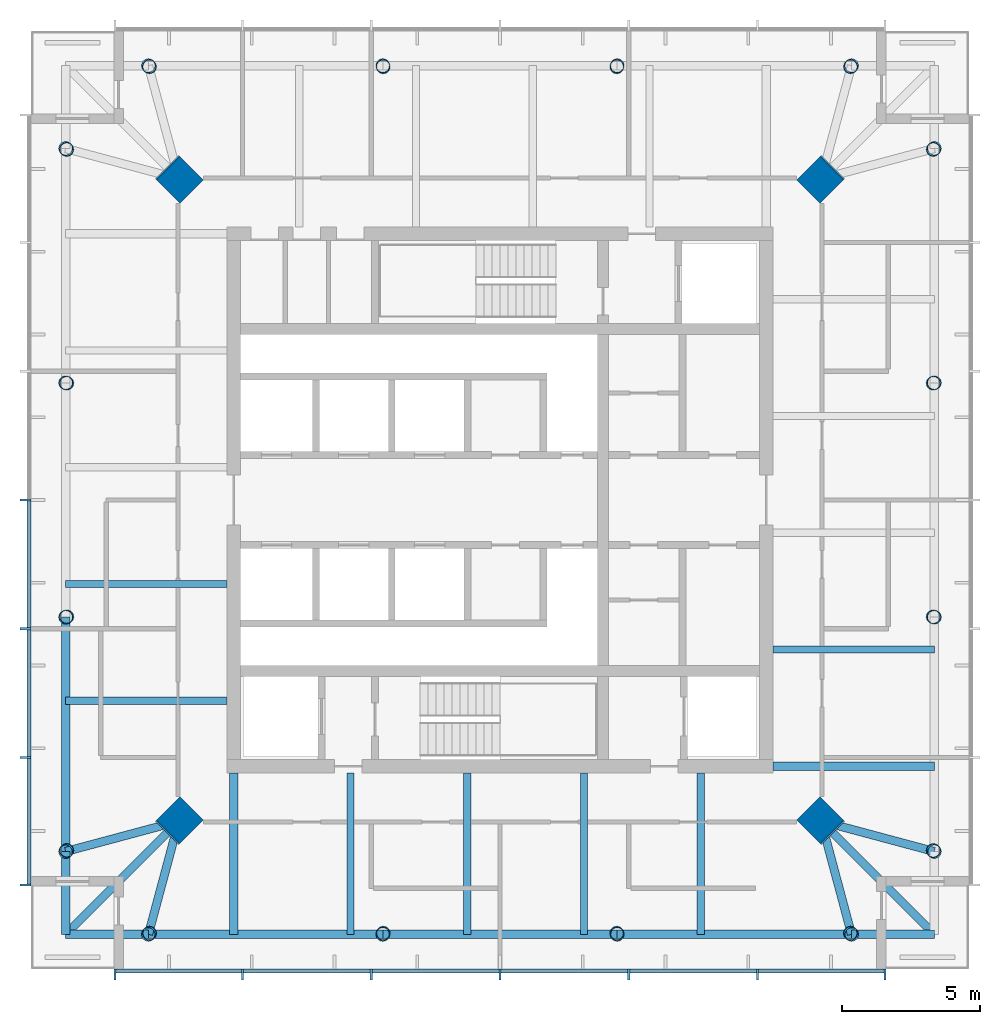
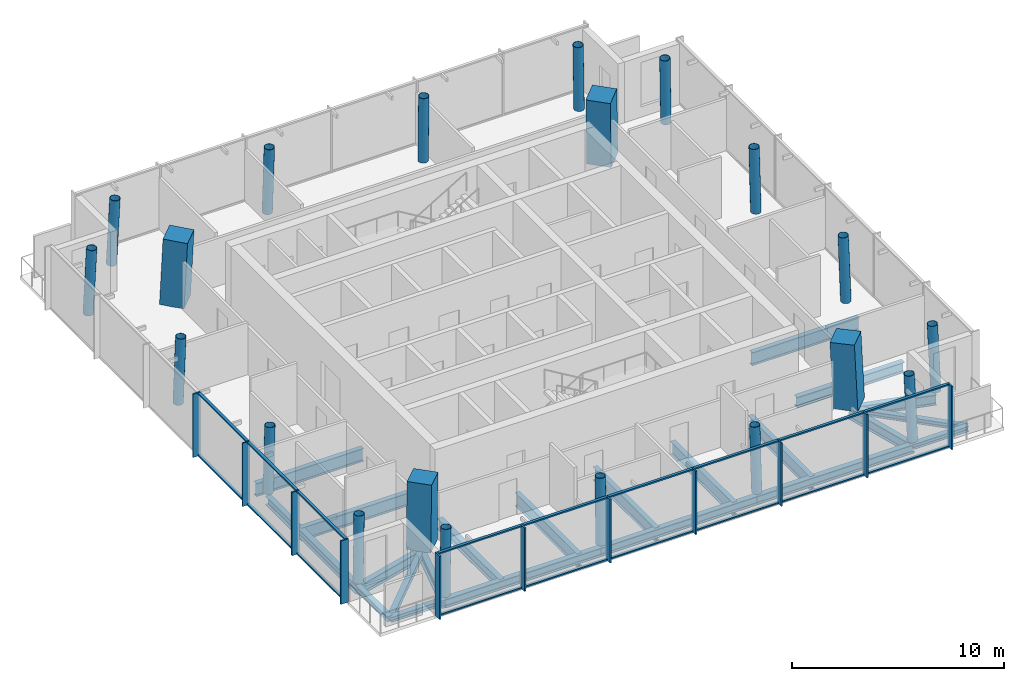
# One storey, part 1 of 7: 29 members, 22 beams, 20 columns, 2 elements without a shape of their own.
"""IFC4 building model written with IfcOpenShell, lengths in metres."""

import ifcopenshell
import ifcopenshell.guid

model = None  # the IFC model being written
_history = None  # IfcOwnerHistory: only IFC2X3 demands one
_inside = {}  # id of a spatial element -> (the spatial element, [elements in it])
_under = {}  # id of a project, library or spatial element -> (it, [spatial elements below it])
_declared = {}  # id of a project -> (the project, [libraries it declares])
_typed = {}  # id of a type object -> (the type object, [elements of that type])
_made_of = {}  # id of a material, layer set ... -> (it, [elements and type objects made of it])


def new_model(schema):
    """Start an empty IFC model of exactly this schema.

    Asked for "IFC4X3", IfcOpenShell would pick the latest addendum, in which some entities
    have other attributes; the version numbers below select the first issue.
    IFC2X3 requires an IfcOwnerHistory on every rooted entity: one is made here for all.
    """
    global model, _history
    if schema == "IFC4X3":
        model = ifcopenshell.file(schema_version=(4, 3, 0, 0))
    else:
        model = ifcopenshell.file(schema=schema)
    _inside.clear()
    _under.clear()
    _declared.clear()
    _typed.clear()
    _made_of.clear()
    _history = None
    if model.schema == "IFC2X3":
        org = make("IfcOrganization", Name="unknown")
        user = make(
            "IfcPersonAndOrganization",
            ThePerson=make("IfcPerson", FamilyName="unknown"),
            TheOrganization=org,
        )
        app = make(
            "IfcApplication",
            ApplicationDeveloper=org,
            Version="unknown",
            ApplicationFullName="unknown",
            ApplicationIdentifier="unknown",
        )
        _history = make(
            "IfcOwnerHistory",
            OwningUser=user,
            OwningApplication=app,
            ChangeAction="ADDED",
            CreationDate=0,
        )
    return model


def make(cls, **values):
    """One entity of the class cls with the attributes given. An attribute that is None is left unset."""
    return model.create_entity(
        cls, **{name: value for name, value in values.items() if value is not None}
    )


def rooted(cls, **values):
    """An entity with a GlobalId (a new one), such as an element, a storey or a relation."""
    return make(cls, GlobalId=ifcopenshell.guid.new(), OwnerHistory=_history, **values)


def si_unit(unit_type, name, prefix=None):
    """IfcSIUnit, for example si_unit("LENGTHUNIT", "METRE", prefix="MILLI")."""
    return make("IfcSIUnit", UnitType=unit_type, Prefix=prefix, Name=name)


def assignment(units):
    """IfcUnitAssignment: the units of a project."""
    return None if units is None else make("IfcUnitAssignment", Units=units)


def point(xyz):
    """IfcCartesianPoint."""
    return None if xyz is None else make("IfcCartesianPoint", Coordinates=xyz)


def direction(xyz):
    """IfcDirection."""
    return None if xyz is None else make("IfcDirection", DirectionRatios=xyz)


def frame(location, z_axis=None, x_axis=None):
    """IfcAxis2Placement3D, a coordinate frame: its origin and axes. An axis left out is left unset."""
    return make(
        "IfcAxis2Placement3D",
        Location=point(location),
        Axis=direction(z_axis),
        RefDirection=direction(x_axis),
    )


def frame_2d(location, x_axis=None):
    """IfcAxis2Placement2D, a coordinate frame in the plane: its origin and x axis."""
    return make(
        "IfcAxis2Placement2D", Location=point(location), RefDirection=direction(x_axis)
    )


def origin():
    """The frame at (0, 0, 0) with its axes left unset."""
    return frame((0.0, 0.0, 0.0))


def origin_2d():
    """The frame at (0, 0) in the plane with its x axis left unset."""
    return frame_2d((0.0, 0.0))


def place(relative_to, where):
    """IfcLocalPlacement: puts the frame where relative to a parent placement (None: the world)."""
    return make(
        "IfcLocalPlacement", PlacementRelTo=relative_to, RelativePlacement=where
    )


def context(
    kind, dimensions, precision=None, world=None, true_north=None, identifier=None
):
    """IfcGeometricRepresentationContext, for example the 3D "Model" context."""
    return make(
        "IfcGeometricRepresentationContext",
        ContextIdentifier=identifier,
        ContextType=kind,
        CoordinateSpaceDimension=dimensions,
        Precision=precision,
        WorldCoordinateSystem=world,
        TrueNorth=true_north,
    )


def subcontext(parent, identifier, kind, view, scale=None):
    """IfcGeometricRepresentationSubContext, for example "Body" below "Model"."""
    return make(
        "IfcGeometricRepresentationSubContext",
        ContextIdentifier=identifier,
        ContextType=kind,
        ParentContext=parent,
        TargetScale=scale,
        TargetView=view,
    )


def project(units=None, contexts=None):
    """IfcProject with its units and contexts."""
    return rooted(
        "IfcProject",
        Name="project",
        RepresentationContexts=contexts,
        UnitsInContext=assignment(units),
    )


def spatial(cls, under=None, at=None, **own):
    """A site, building, storey or space (cls), placed at a placement, below another one or the project."""
    s = rooted(cls, ObjectPlacement=at, **own)
    if under is not None:
        _under.setdefault(under.id(), (under, []))[1].append(s)
    return s


def profile(cls, at=None, kind="AREA", **sizes):
    """A parametric profile (cls). Its sizes go by their IFC names, for example OverallWidth=200.0."""
    return make(cls, ProfileType=kind, Position=at, **sizes)


def rectangle(**sizes):
    """IfcRectangleProfileDef."""
    return profile("IfcRectangleProfileDef", **sizes)


def hollow_circle(**sizes):
    """IfcCircleHollowProfileDef."""
    return profile("IfcCircleHollowProfileDef", **sizes)


def i_section(**sizes):
    """IfcIShapeProfileDef."""
    return profile("IfcIShapeProfileDef", **sizes)


def extrude(swept, where, along, depth):
    """IfcExtrudedAreaSolid: the profile swept, set in the frame where, extruded along a direction by depth."""
    return make(
        "IfcExtrudedAreaSolid",
        SweptArea=swept,
        Position=where,
        ExtrudedDirection=direction(along),
        Depth=depth,
    )


def shape(context_of_items, identifier, shape_type, items):
    """IfcShapeRepresentation: the items that make up one representation, for example the "Body"."""
    return make(
        "IfcShapeRepresentation",
        ContextOfItems=context_of_items,
        RepresentationIdentifier=identifier,
        RepresentationType=shape_type,
        Items=items,
    )


def material(Name=None, Category=None):
    """IfcMaterial."""
    return make("IfcMaterial", Name=Name, Category=Category)


def material_profile(
    of_material, cross_section, Name=None, Category=None, Priority=None
):
    """IfcMaterialProfile: a cross section and its material."""
    return make(
        "IfcMaterialProfile",
        Name=Name,
        Material=of_material,
        Profile=cross_section,
        Priority=Priority,
        Category=Category,
    )


def profile_set(profiles, Name=None, composite=None):
    """IfcMaterialProfileSet."""
    return make(
        "IfcMaterialProfileSet",
        Name=Name,
        MaterialProfiles=profiles,
        CompositeProfile=composite,
    )


def made_of(thing, what):
    """Note that an element or type object is made of a material, layer set ...; save() writes the relation."""
    if what is not None:
        _made_of.setdefault(what.id(), (what, []))[1].append(thing)
    return thing


def type_object(cls, material=None, **own):
    """A type object (cls), such as IfcWallType, which elements share."""
    return made_of(rooted(cls, **own), material)


def element(
    cls,
    number,
    at=None,
    inside=None,
    cuts=None,
    type_object=None,
    material=None,
    context=None,
    identifier="Body",
    shape_type=None,
    held_by="IfcProductDefinitionShape",
    body=None,
    shapes=None,
    **own,
):
    """One element of the class cls, such as IfcWall. Its Tag is "e" and its number.

    at: its placement. inside: the storey or other place that contains it. cuts: it is an
    opening in that element (IfcRelVoidsElement). A single representation is given by context,
    identifier, shape_type and body (its items); several are given by shapes. held_by: the class
    of the entity that holds the representations. save() writes the other relations.
    """
    e = rooted(cls, Tag="e%d" % number, ObjectPlacement=at, **own)
    if body is not None:
        shapes = [shape(context, identifier, shape_type, body)]
    if shapes is not None:
        e.Representation = make(held_by, Representations=shapes)
    if inside is not None:
        _inside.setdefault(inside.id(), (inside, []))[1].append(e)
    if cuts is not None:
        rooted(
            "IfcRelVoidsElement", RelatingBuildingElement=cuts, RelatedOpeningElement=e
        )
    if type_object is not None:
        _typed.setdefault(type_object.id(), (type_object, []))[1].append(e)
    return made_of(e, material)


def aggregate(whole, parts):
    """IfcRelAggregates: a whole, such as a stair, and the parts it consists of."""
    return rooted("IfcRelAggregates", RelatingObject=whole, RelatedObjects=parts)


def save(model, path):
    """Write the relations noted so far, then the file.

    IfcRelAggregates (storeys below a building ...), IfcRelContainedInSpatialStructure (elements
    in a storey), IfcRelDefinesByType, IfcRelAssociatesMaterial and IfcRelDeclares: one each for
    every whole, place, type object, material and project.
    """
    for whole, parts in _under.values():
        aggregate(whole, parts)
    for where, things in _inside.values():
        rooted(
            "IfcRelContainedInSpatialStructure",
            RelatedElements=things,
            RelatingStructure=where,
        )
    for kind, things in _typed.values():
        rooted("IfcRelDefinesByType", RelatedObjects=things, RelatingType=kind)
    for what, things in _made_of.values():
        rooted("IfcRelAssociatesMaterial", RelatedObjects=things, RelatingMaterial=what)
    for by, libraries in _declared.values():
        rooted("IfcRelDeclares", RelatingContext=by, RelatedDefinitions=libraries)
    model.write(path)


model = new_model("IFC4")

# Units and contexts
model_context = context("Model", 3, precision=1e-05, world=origin(), true_north=direction((0.0, 1.0)))
body_context = subcontext(model_context, "Body", "Model", "MODEL_VIEW")
ifc_project = project(units=[si_unit("LENGTHUNIT", "METRE"), si_unit("AREAUNIT", "SQUARE_METRE"), si_unit("VOLUMEUNIT", "CUBIC_METRE"), si_unit("PLANEANGLEUNIT", "RADIAN"), si_unit("MASSUNIT", "GRAM", prefix="KILO")], contexts=[model_context])

# Site, building, storey
site_placement = place(None, origin())
site = spatial("IfcSite", under=ifc_project, at=site_placement, CompositionType="ELEMENT")
building_placement = place(site_placement, origin())
building = spatial("IfcBuilding", under=site, at=building_placement, Name="Ostroluk Exchange", CompositionType="ELEMENT")
storey_placement = place(building_placement, frame((0.0, 0.0, 279.39990234375)))
storey = spatial("IfcBuildingStorey", under=building, at=storey_placement, Name="L72", CompositionType="ELEMENT", Elevation=279.39990234375)

# Columns
ifc_material_1 = material(Name="Concrete C50/60", Category="concrete")
ifc_material_profile_1 = material_profile(ifc_material_1, rectangle(XDim=1.199951171875, YDim=1.199951171875, at=origin_2d()), Name="RC 1200x1200")
ifc_profile_set_1 = profile_set([ifc_material_profile_1], Name="Concrete C50/60")
column_type_1 = type_object("IfcColumnType", Name="Mega column RC 1200x1200", PredefinedType="COLUMN", material=ifc_profile_set_1)
for number, where, z_axis, x_axis, name in (
    (1, (56.642822265625, 57.642822265625, 0.0), (-0.031898107953, -0.031898107953, 0.998981992539), (0.707106781187, -0.707106781187, 0.0), "T1 mega column NE"),
    (2, (33.357177734375, 57.642822265625, 0.0), (0.031898107953, -0.031898107953, 0.998981992539), (0.707106781187, 0.707106781187, 0.0), "T1 mega column NW"),
    (3, (33.357177734375, 34.357177734375, 0.0), (0.031898107953, 0.031898107953, 0.998981992539), (-0.707106781187, 0.707106781187, 0.0), "T1 mega column SW"),
    (4, (56.642822265625, 34.357177734375, 0.0), (-0.031898107953, 0.031898107953, 0.998981992539), (-0.707106781187, -0.707106781187, 0.0), "T1 mega column SE"),
):
    element("IfcColumn", number, at=place(storey_placement, frame(where, z_axis=z_axis, x_axis=x_axis)), inside=storey, type_object=column_type_1, Name=name, PredefinedType="COLUMN", context=body_context, shape_type="SweptSolid", body=[
        extrude(rectangle(XDim=1.199951171875, YDim=1.199951171875, at=origin_2d()), origin(), (0.0, 0.0, 1.0), 3.803955078125),
    ])
ifc_material_2 = material(Name="Steel S460", Category="steel")
ifc_material_profile_2 = material_profile(ifc_material_2, hollow_circle(Radius=0.25390625, WallThickness=0.02001953125, at=origin_2d()), Name="CHS 508x20")
ifc_profile_set_2 = profile_set([ifc_material_profile_2], Name="Steel S460")
column_type_2 = type_object("IfcColumnType", Name="Perimeter column CHS 508x20", PredefinedType="COLUMN", material=ifc_profile_set_2)
for number, where, z_axis, x_axis, name in (
    (5, (60.742919921875, 33.257080078125, 0.0), (-0.031962158256, 0.031962158256, 0.998977898093), (-0.707106781187, -0.707106781187, 0.0), "T1 east face column E0"),
    (6, (60.742919921875, 58.742919921875, 0.0), (-0.031962158256, -0.031962158256, 0.998977898093), (0.707106781187, -0.707106781187, 0.0), "T1 east face column E1"),
):
    element("IfcColumn", number, at=place(storey_placement, frame(where, z_axis=z_axis, x_axis=x_axis)), inside=storey, type_object=column_type_2, Name=name, PredefinedType="COLUMN", context=body_context, shape_type="SweptSolid", body=[
        extrude(hollow_circle(Radius=0.25390625, WallThickness=0.02001953125, at=origin_2d()), origin(), (0.0, 0.0, 1.0), 3.803955078125),
    ])
for number, where, z_axis, x_axis, name in (
    (7, (60.742919921875, 41.75244140625, 0.0), (-0.031976680097, 0.010658893366, 0.999431778523), (-0.316227766017, -0.948683298051, 0.0), "T1 east face column I1"),
    (8, (60.742919921875, 50.24755859375, 0.0), (-0.031976680097, -0.010658893366, 0.999431778523), (0.316227766017, -0.948683298051, 0.0), "T1 east face column I2"),
):
    element("IfcColumn", number, at=place(storey_placement, frame(where, z_axis=z_axis, x_axis=x_axis)), inside=storey, type_object=column_type_2, Name=name, PredefinedType="COLUMN", context=body_context, shape_type="SweptSolid", body=[
        extrude(hollow_circle(Radius=0.25390625, WallThickness=0.02001953125, at=origin_2d()), origin(), (0.0, 0.0, 1.0), 3.80224609375),
    ])
for number, where, z_axis, x_axis, name in (
    (9, (57.742919921875, 61.742919921875, 0.0), (-0.031962158256, -0.031962158256, 0.998977898093), (0.707106781187, -0.707106781187, 0.0), "T1 north face column E0"),
    (10, (32.257080078125, 61.742919921875, 0.0), (0.031962158256, -0.031962158256, 0.998977898093), (0.707106781187, 0.707106781187, 0.0), "T1 north face column E1"),
):
    element("IfcColumn", number, at=place(storey_placement, frame(where, z_axis=z_axis, x_axis=x_axis)), inside=storey, type_object=column_type_2, Name=name, PredefinedType="COLUMN", context=body_context, shape_type="SweptSolid", body=[
        extrude(hollow_circle(Radius=0.25390625, WallThickness=0.02001953125, at=origin_2d()), origin(), (0.0, 0.0, 1.0), 3.803955078125),
    ])
for number, where, z_axis, x_axis, name in (
    (11, (49.24755859375, 61.742919921875, 0.0), (-0.010658893366, -0.031976680097, 0.999431778523), (0.948683298051, -0.316227766017, 0.0), "T1 north face column I1"),
    (12, (40.75244140625, 61.742919921875, 0.0), (0.010658893366, -0.031976680097, 0.999431778523), (0.948683298051, 0.316227766017, 0.0), "T1 north face column I2"),
):
    element("IfcColumn", number, at=place(storey_placement, frame(where, z_axis=z_axis, x_axis=x_axis)), inside=storey, type_object=column_type_2, Name=name, PredefinedType="COLUMN", context=body_context, shape_type="SweptSolid", body=[
        extrude(hollow_circle(Radius=0.25390625, WallThickness=0.02001953125, at=origin_2d()), origin(), (0.0, 0.0, 1.0), 3.80224609375),
    ])
for number, where, z_axis, x_axis, name in (
    (13, (29.257080078125, 58.742919921875, 0.0), (0.031962158256, -0.031962158256, 0.998977898093), (0.707106781187, 0.707106781187, 0.0), "T1 west face column E0"),
    (14, (29.257080078125, 33.257080078125, 0.0), (0.031962158256, 0.031962158256, 0.998977898093), (-0.707106781187, 0.707106781187, 0.0), "T1 west face column E1"),
):
    element("IfcColumn", number, at=place(storey_placement, frame(where, z_axis=z_axis, x_axis=x_axis)), inside=storey, type_object=column_type_2, Name=name, PredefinedType="COLUMN", context=body_context, shape_type="SweptSolid", body=[
        extrude(hollow_circle(Radius=0.25390625, WallThickness=0.02001953125, at=origin_2d()), origin(), (0.0, 0.0, 1.0), 3.803955078125),
    ])
for number, where, z_axis, x_axis, name in (
    (15, (29.257080078125, 50.24755859375, 0.0), (0.031976680097, -0.010658893366, 0.999431778523), (0.316227766017, 0.948683298051, 0.0), "T1 west face column I1"),
    (16, (29.257080078125, 41.75244140625, 0.0), (0.031976680097, 0.010658893366, 0.999431778523), (-0.316227766017, 0.948683298051, 0.0), "T1 west face column I2"),
):
    element("IfcColumn", number, at=place(storey_placement, frame(where, z_axis=z_axis, x_axis=x_axis)), inside=storey, type_object=column_type_2, Name=name, PredefinedType="COLUMN", context=body_context, shape_type="SweptSolid", body=[
        extrude(hollow_circle(Radius=0.25390625, WallThickness=0.02001953125, at=origin_2d()), origin(), (0.0, 0.0, 1.0), 3.80224609375),
    ])
for number, where, z_axis, x_axis, name in (
    (17, (32.257080078125, 30.257080078125, 0.0), (0.031962158256, 0.031962158256, 0.998977898093), (-0.707106781187, 0.707106781187, 0.0), "T1 south face column E0"),
    (18, (57.742919921875, 30.257080078125, 0.0), (-0.031962158256, 0.031962158256, 0.998977898093), (-0.707106781187, -0.707106781187, 0.0), "T1 south face column E1"),
):
    element("IfcColumn", number, at=place(storey_placement, frame(where, z_axis=z_axis, x_axis=x_axis)), inside=storey, type_object=column_type_2, Name=name, PredefinedType="COLUMN", context=body_context, shape_type="SweptSolid", body=[
        extrude(hollow_circle(Radius=0.25390625, WallThickness=0.02001953125, at=origin_2d()), origin(), (0.0, 0.0, 1.0), 3.803955078125),
    ])
for number, where, z_axis, x_axis, name in (
    (19, (40.75244140625, 30.257080078125, 0.0), (0.010658893366, 0.031976680097, 0.999431778523), (-0.948683298051, 0.316227766017, 0.0), "T1 south face column I1"),
    (20, (49.24755859375, 30.257080078125, 0.0), (-0.010658893366, 0.031976680097, 0.999431778523), (-0.948683298051, -0.316227766017, 0.0), "T1 south face column I2"),
):
    element("IfcColumn", number, at=place(storey_placement, frame(where, z_axis=z_axis, x_axis=x_axis)), inside=storey, type_object=column_type_2, Name=name, PredefinedType="COLUMN", context=body_context, shape_type="SweptSolid", body=[
        extrude(hollow_circle(Radius=0.25390625, WallThickness=0.02001953125, at=origin_2d()), origin(), (0.0, 0.0, 1.0), 3.80224609375),
    ])

# Beams
ifc_material_3 = material(Name="Steel S355", Category="steel")
ifc_material_profile_3 = material_profile(ifc_material_3, i_section(OverallWidth=0.300048828125, OverallDepth=0.300048828125, WebThickness=0.010986328125, FlangeThickness=0.01904296875, FilletRadius=0.027099609375, at=origin_2d()), Name="HEB 300")
ifc_profile_set_3 = profile_set([ifc_material_profile_3], Name="Steel S355")
beam_type_1 = type_object("IfcBeamType", Name="Balcony beam HEB 300", PredefinedType="BEAM", material=ifc_profile_set_3)
for number, where, z_axis, x_axis, name in (
    (21, (29.257080078125, 33.257080078125, -0.329833984375), (0.0, -1.0, 0.0), (1.0, 0.0, 0.0), "T1 west balcony beam a"),
    (22, (32.257080078125, 30.257080078125, -0.329833984375), (-1.0, 0.0, 0.0), (0.0, -1.0, 0.0), "T1 west balcony beam b"),
):
    element("IfcBeam", number, at=place(storey_placement, frame(where, z_axis=z_axis, x_axis=x_axis)), inside=storey, type_object=beam_type_1, Name=name, PredefinedType="BEAM", context=body_context, shape_type="SweptSolid", body=[
        extrude(i_section(OverallWidth=0.300048828125, OverallDepth=0.300048828125, WebThickness=0.010986328125, FlangeThickness=0.01904296875, FilletRadius=0.027099609375, at=origin_2d()), origin(), (0.0, 0.0, 1.0), 3.0),
    ])
beam_1_placement = place(storey_placement, frame((33.357177734375, 34.357177734375, -0.329833984375), z_axis=(-0.707106781187, -0.707106781187, 0.0), x_axis=(0.707106781187, -0.707106781187, 0.0)))
element("IfcBeam", 23, at=beam_1_placement, inside=storey, type_object=beam_type_1, Name="T1 west balcony beam c", PredefinedType="BEAM", context=body_context, shape_type="SweptSolid", body=[
    extrude(i_section(OverallWidth=0.300048828125, OverallDepth=0.300048828125, WebThickness=0.010986328125, FlangeThickness=0.01904296875, FilletRadius=0.027099609375, at=origin_2d()), origin(), (0.0, 0.0, 1.0), 5.79833984375),
])
beam_2_placement = place(storey_placement, frame((57.742919921875, 30.257080078125, -0.329833984375), z_axis=(1.0, 0.0, 0.0), x_axis=(0.0, 1.0, 0.0)))
element("IfcBeam", 24, at=beam_2_placement, inside=storey, type_object=beam_type_1, Name="T1 south balcony beam a", PredefinedType="BEAM", context=body_context, shape_type="SweptSolid", body=[
    extrude(i_section(OverallWidth=0.300048828125, OverallDepth=0.300048828125, WebThickness=0.010986328125, FlangeThickness=0.01904296875, FilletRadius=0.027099609375, at=origin_2d()), origin(), (0.0, 0.0, 1.0), 3.0),
])
beam_3_placement = place(storey_placement, frame((56.642822265625, 34.357177734375, -0.329833984375), z_axis=(0.707106781187, -0.707106781187, 0.0), x_axis=(0.707106781187, 0.707106781187, 0.0)))
element("IfcBeam", 25, at=beam_3_placement, inside=storey, type_object=beam_type_1, Name="T1 south balcony beam c", PredefinedType="BEAM", context=body_context, shape_type="SweptSolid", body=[
    extrude(i_section(OverallWidth=0.300048828125, OverallDepth=0.300048828125, WebThickness=0.010986328125, FlangeThickness=0.01904296875, FilletRadius=0.027099609375, at=origin_2d()), origin(), (0.0, 0.0, 1.0), 5.79833984375),
])
ifc_material_4 = material(Name="Steel S355", Category="steel")
ifc_material_profile_4 = material_profile(ifc_material_4, i_section(OverallWidth=0.300048828125, OverallDepth=0.60009765625, WebThickness=0.015380859375, FlangeThickness=0.030029296875, FilletRadius=0.027099609375, at=origin_2d()), Name="HEB 600")
ifc_profile_set_4 = profile_set([ifc_material_profile_4], Name="Steel S355")
beam_type_2 = type_object("IfcBeamType", Name="Corner edge beam HEB 600", PredefinedType="SPANDREL", material=ifc_profile_set_4)
for number, where, z_axis, x_axis, name in (
    (26, (33.357177734375, 34.357177734375, -0.47998046875), (-0.965838624319, -0.259144268261, 0.0), (0.259144268261, -0.965838624319, 0.0), "T1 west corner edge beam a"),
    (27, (33.357177734375, 34.357177734375, -0.47998046875), (-0.259144268261, -0.965838624319, 0.0), (0.965838624319, -0.259144268261, 0.0), "T1 west corner edge beam b"),
    (28, (56.642822265625, 34.357177734375, -0.47998046875), (0.259144268261, -0.965838624319, 0.0), (0.965838624319, 0.259144268261, 0.0), "T1 south corner edge beam a"),
    (29, (56.642822265625, 34.357177734375, -0.47998046875), (0.965838624319, -0.259144268261, 0.0), (0.259144268261, 0.965838624319, 0.0), "T1 south corner edge beam b"),
):
    element("IfcBeam", number, at=place(storey_placement, frame(where, z_axis=z_axis, x_axis=x_axis)), inside=storey, type_object=beam_type_2, Name=name, PredefinedType="SPANDREL", context=body_context, shape_type="SweptSolid", body=[
        extrude(i_section(OverallWidth=0.300048828125, OverallDepth=0.60009765625, WebThickness=0.015380859375, FlangeThickness=0.030029296875, FilletRadius=0.027099609375, at=origin_2d()), origin(), (0.0, 0.0, 1.0), 4.2451171875),
    ])
ifc_material_5 = material(Name="Steel S355", Category="steel")
ifc_material_profile_5 = material_profile(ifc_material_5, i_section(OverallWidth=0.264892578125, OverallDepth=0.7529296875, WebThickness=0.01318359375, FlangeThickness=0.01708984375, FilletRadius=0.01708984375, at=origin_2d()), Name="IPE 750x147")
ifc_profile_set_5 = profile_set([ifc_material_profile_5], Name="Steel S355")
beam_type_3 = type_object("IfcBeamType", Name="Floor beam IPE 750x147", PredefinedType="BEAM", material=ifc_profile_set_5)
for number, where, z_axis, x_axis, name in (
    (30, (54.89990234375, 40.58203125, -0.556396484375), (1.0, 0.0, 0.0), (0.0, 1.0, 0.0), "T1 east floor beam 1"),
    (31, (35.10009765625, 42.95361328125, -0.556396484375), (-1.0, 0.0, 0.0), (0.0, -1.0, 0.0), "T1 west floor beam 3"),
    (32, (35.10009765625, 38.721435546875, -0.556396484375), (-1.0, 0.0, 0.0), (0.0, -1.0, 0.0), "T1 west floor beam 4"),
    (33, (39.58203125, 36.10009765625, -0.556396484375), (0.0, -1.0, 0.0), (1.0, 0.0, 0.0), "T1 south floor beam 1"),
    (34, (43.814208984375, 36.10009765625, -0.556396484375), (0.0, -1.0, 0.0), (1.0, 0.0, 0.0), "T1 south floor beam 2"),
    (35, (48.04638671875, 36.10009765625, -0.556396484375), (0.0, -1.0, 0.0), (1.0, 0.0, 0.0), "T1 south floor beam 3"),
    (36, (52.278564453125, 36.10009765625, -0.556396484375), (0.0, -1.0, 0.0), (1.0, 0.0, 0.0), "T1 south floor beam 4"),
):
    element("IfcBeam", number, at=place(storey_placement, frame(where, z_axis=z_axis, x_axis=x_axis)), inside=storey, type_object=beam_type_3, Name=name, PredefinedType="BEAM", context=body_context, shape_type="SweptSolid", body=[
        extrude(i_section(OverallWidth=0.264892578125, OverallDepth=0.7529296875, WebThickness=0.01318359375, FlangeThickness=0.01708984375, FilletRadius=0.01708984375, at=origin_2d()), origin(), (0.0, 0.0, 1.0), 5.843017578125),
    ])
ifc_material_6 = material(Name="Steel S355", Category="steel")
ifc_material_profile_6 = material_profile(ifc_material_6, i_section(OverallWidth=0.300048828125, OverallDepth=0.60009765625, WebThickness=0.015380859375, FlangeThickness=0.030029296875, FilletRadius=0.027099609375, at=origin_2d()), Name="HEB 600")
ifc_profile_set_6 = profile_set([ifc_material_profile_6], Name="Steel S355")
beam_type_4 = type_object("IfcBeamType", Name="Girder HEB 600", PredefinedType="BEAM", material=ifc_profile_set_6)
for number, where, z_axis, x_axis, name in (
    (37, (35.35009765625, 36.10009765625, -0.47998046875), (0.0, -1.0, 0.0), (1.0, 0.0, 0.0), "T1 west girder"),
    (38, (54.89990234375, 36.35009765625, -0.47998046875), (1.0, 0.0, 0.0), (0.0, 1.0, 0.0), "T1 south girder"),
):
    element("IfcBeam", number, at=place(storey_placement, frame(where, z_axis=z_axis, x_axis=x_axis)), inside=storey, type_object=beam_type_4, Name=name, PredefinedType="BEAM", context=body_context, shape_type="SweptSolid", body=[
        extrude(i_section(OverallWidth=0.300048828125, OverallDepth=0.60009765625, WebThickness=0.015380859375, FlangeThickness=0.030029296875, FilletRadius=0.027099609375, at=origin_2d()), origin(), (0.0, 0.0, 1.0), 5.843017578125),
    ])
ifc_material_7 = material(Name="Steel S355", Category="steel")
ifc_material_profile_7 = material_profile(ifc_material_7, i_section(OverallWidth=0.300048828125, OverallDepth=0.5, WebThickness=0.014404296875, FlangeThickness=0.028076171875, FilletRadius=0.027099609375, at=origin_2d()), Name="HEB 500")
ifc_profile_set_7 = profile_set([ifc_material_profile_7], Name="Steel S355")
beam_type_5 = type_object("IfcBeamType", Name="Moment-connected edge beam HEB 500", PredefinedType="SPANDREL", material=ifc_profile_set_7)
for number, where, z_axis, x_axis, name in (
    (39, (29.257080078125, 41.75244140625, -0.429931640625), (0.0, -1.0, 0.0), (1.0, 0.0, 0.0), "T1 west edge beam 3"),
    (40, (32.257080078125, 30.257080078125, -0.429931640625), (1.0, 0.0, 0.0), (0.0, 1.0, 0.0), "T1 south edge beam 1"),
):
    element("IfcBeam", number, at=place(storey_placement, frame(where, z_axis=z_axis, x_axis=x_axis)), inside=storey, type_object=beam_type_5, Name=name, PredefinedType="SPANDREL", context=body_context, shape_type="SweptSolid", body=[
        extrude(i_section(OverallWidth=0.300048828125, OverallDepth=0.5, WebThickness=0.014404296875, FlangeThickness=0.028076171875, FilletRadius=0.027099609375, at=origin_2d()), origin(), (0.0, 0.0, 1.0), 8.495361328125),
    ])
beam_4_placement = place(storey_placement, frame((40.75244140625, 30.257080078125, -0.429931640625), z_axis=(1.0, 0.0, 0.0), x_axis=(0.0, 1.0, 0.0)))
element("IfcBeam", 41, at=beam_4_placement, inside=storey, type_object=beam_type_5, Name="T1 south edge beam 2", PredefinedType="SPANDREL", context=body_context, shape_type="SweptSolid", body=[
    extrude(i_section(OverallWidth=0.300048828125, OverallDepth=0.5, WebThickness=0.014404296875, FlangeThickness=0.028076171875, FilletRadius=0.027099609375, at=origin_2d()), origin(), (0.0, 0.0, 1.0), 8.4951171875),
])
beam_5_placement = place(storey_placement, frame((49.24755859375, 30.257080078125, -0.429931640625), z_axis=(1.0, 0.0, 0.0), x_axis=(0.0, 1.0, 0.0)))
element("IfcBeam", 42, at=beam_5_placement, inside=storey, type_object=beam_type_5, Name="T1 south edge beam 3", PredefinedType="SPANDREL", context=body_context, shape_type="SweptSolid", body=[
    extrude(i_section(OverallWidth=0.300048828125, OverallDepth=0.5, WebThickness=0.014404296875, FlangeThickness=0.028076171875, FilletRadius=0.027099609375, at=origin_2d()), origin(), (0.0, 0.0, 1.0), 8.495361328125),
])

# Curtain wall, members
ifc_material_8 = material(Name="Laminated clear glass", Category="glass")
curtain_wall_type = type_object("IfcCurtainWallType", Name="Office tower facade", PredefinedType="USERDEFINED", material=ifc_material_8)
curtain_wall_1_placement = place(storey_placement, origin())
curtain_wall_1 = element("IfcCurtainWall", 43, at=curtain_wall_1_placement, inside=storey, type_object=curtain_wall_type, Name="Office tower south facade L72", ObjectType="UNITISED CURTAIN WALL", PredefinedType="USERDEFINED")
ifc_material_9 = material(Name="Aluminium mullion", Category="aluminium")
ifc_material_profile_8 = material_profile(ifc_material_9, rectangle(XDim=0.14990234375, YDim=0.080078125, at=origin_2d()), Name="Sill transom 80 x 150")
ifc_profile_set_8 = profile_set([ifc_material_profile_8], Name="Aluminium mullion")
member_type_1 = type_object("IfcMemberType", Name="Sill transom 80 x 150", PredefinedType="USERDEFINED", material=ifc_profile_set_8)
member_1_placement = place(storey_placement, frame((31.080078125, 28.925048828125, 0.0400390625), z_axis=(1.0, 0.0, 0.0), x_axis=(0.0, 1.0, 0.0)))
member_1 = element("IfcMember", 44, at=member_1_placement, type_object=member_type_1, Name="CW-O1 transom 1.1", ObjectType="TRANSOM", PredefinedType="USERDEFINED", context=body_context, shape_type="SweptSolid", body=[
    extrude(rectangle(XDim=0.14990234375, YDim=0.080078125, at=origin_2d()), origin(), (0.0, 0.0, 1.0), 4.546630859375),
])
member_2_placement = place(storey_placement, frame((31.080078125, 28.925048828125, 3.610107421875), z_axis=(1.0, 0.0, 0.0), x_axis=(0.0, 1.0, 0.0)))
member_2 = element("IfcMember", 45, at=member_2_placement, type_object=member_type_1, Name="CW-O1 transom 1.2", ObjectType="TRANSOM", PredefinedType="USERDEFINED", context=body_context, shape_type="SweptSolid", body=[
    extrude(rectangle(XDim=0.14990234375, YDim=0.080078125, at=origin_2d()), origin(), (0.0, 0.0, 1.0), 4.546630859375),
])
member_3_placement = place(storey_placement, frame((35.706787109375, 28.925048828125, 0.0400390625), z_axis=(1.0, 0.0, 0.0), x_axis=(0.0, 1.0, 0.0)))
member_3 = element("IfcMember", 46, at=member_3_placement, type_object=member_type_1, Name="CW-O1 transom 2.1", ObjectType="TRANSOM", PredefinedType="USERDEFINED", context=body_context, shape_type="SweptSolid", body=[
    extrude(rectangle(XDim=0.14990234375, YDim=0.080078125, at=origin_2d()), origin(), (0.0, 0.0, 1.0), 4.58642578125),
])
member_4_placement = place(storey_placement, frame((35.706787109375, 28.925048828125, 3.610107421875), z_axis=(1.0, 0.0, 0.0), x_axis=(0.0, 1.0, 0.0)))
member_4 = element("IfcMember", 47, at=member_4_placement, type_object=member_type_1, Name="CW-O1 transom 2.2", ObjectType="TRANSOM", PredefinedType="USERDEFINED", context=body_context, shape_type="SweptSolid", body=[
    extrude(rectangle(XDim=0.14990234375, YDim=0.080078125, at=origin_2d()), origin(), (0.0, 0.0, 1.0), 4.58642578125),
])
member_5_placement = place(storey_placement, frame((40.373291015625, 28.925048828125, 0.0400390625), z_axis=(1.0, 0.0, 0.0), x_axis=(0.0, 1.0, 0.0)))
member_5 = element("IfcMember", 48, at=member_5_placement, type_object=member_type_1, Name="CW-O1 transom 3.1", ObjectType="TRANSOM", PredefinedType="USERDEFINED", context=body_context, shape_type="SweptSolid", body=[
    extrude(rectangle(XDim=0.14990234375, YDim=0.080078125, at=origin_2d()), origin(), (0.0, 0.0, 1.0), 4.586669921875),
])
member_6_placement = place(storey_placement, frame((40.373291015625, 28.925048828125, 3.610107421875), z_axis=(1.0, 0.0, 0.0), x_axis=(0.0, 1.0, 0.0)))
member_6 = element("IfcMember", 49, at=member_6_placement, type_object=member_type_1, Name="CW-O1 transom 3.2", ObjectType="TRANSOM", PredefinedType="USERDEFINED", context=body_context, shape_type="SweptSolid", body=[
    extrude(rectangle(XDim=0.14990234375, YDim=0.080078125, at=origin_2d()), origin(), (0.0, 0.0, 1.0), 4.586669921875),
])
member_7_placement = place(storey_placement, frame((45.0400390625, 28.925048828125, 0.0400390625), z_axis=(1.0, 0.0, 0.0), x_axis=(0.0, 1.0, 0.0)))
member_7 = element("IfcMember", 50, at=member_7_placement, type_object=member_type_1, Name="CW-O1 transom 4.1", ObjectType="TRANSOM", PredefinedType="USERDEFINED", context=body_context, shape_type="SweptSolid", body=[
    extrude(rectangle(XDim=0.14990234375, YDim=0.080078125, at=origin_2d()), origin(), (0.0, 0.0, 1.0), 4.586669921875),
])
member_8_placement = place(storey_placement, frame((45.0400390625, 28.925048828125, 3.610107421875), z_axis=(1.0, 0.0, 0.0), x_axis=(0.0, 1.0, 0.0)))
member_8 = element("IfcMember", 51, at=member_8_placement, type_object=member_type_1, Name="CW-O1 transom 4.2", ObjectType="TRANSOM", PredefinedType="USERDEFINED", context=body_context, shape_type="SweptSolid", body=[
    extrude(rectangle(XDim=0.14990234375, YDim=0.080078125, at=origin_2d()), origin(), (0.0, 0.0, 1.0), 4.586669921875),
])
member_9_placement = place(storey_placement, frame((49.706787109375, 28.925048828125, 0.0400390625), z_axis=(1.0, 0.0, 0.0), x_axis=(0.0, 1.0, 0.0)))
member_9 = element("IfcMember", 52, at=member_9_placement, type_object=member_type_1, Name="CW-O1 transom 5.1", ObjectType="TRANSOM", PredefinedType="USERDEFINED", context=body_context, shape_type="SweptSolid", body=[
    extrude(rectangle(XDim=0.14990234375, YDim=0.080078125, at=origin_2d()), origin(), (0.0, 0.0, 1.0), 4.58642578125),
])
member_10_placement = place(storey_placement, frame((49.706787109375, 28.925048828125, 3.610107421875), z_axis=(1.0, 0.0, 0.0), x_axis=(0.0, 1.0, 0.0)))
member_10 = element("IfcMember", 53, at=member_10_placement, type_object=member_type_1, Name="CW-O1 transom 5.2", ObjectType="TRANSOM", PredefinedType="USERDEFINED", context=body_context, shape_type="SweptSolid", body=[
    extrude(rectangle(XDim=0.14990234375, YDim=0.080078125, at=origin_2d()), origin(), (0.0, 0.0, 1.0), 4.58642578125),
])
member_11_placement = place(storey_placement, frame((54.373291015625, 28.925048828125, 0.0400390625), z_axis=(1.0, 0.0, 0.0), x_axis=(0.0, 1.0, 0.0)))
member_11 = element("IfcMember", 54, at=member_11_placement, type_object=member_type_1, Name="CW-O1 transom 6.1", ObjectType="TRANSOM", PredefinedType="USERDEFINED", context=body_context, shape_type="SweptSolid", body=[
    extrude(rectangle(XDim=0.14990234375, YDim=0.080078125, at=origin_2d()), origin(), (0.0, 0.0, 1.0), 4.546630859375),
])
member_12_placement = place(storey_placement, frame((54.373291015625, 28.925048828125, 3.610107421875), z_axis=(1.0, 0.0, 0.0), x_axis=(0.0, 1.0, 0.0)))
member_12 = element("IfcMember", 55, at=member_12_placement, type_object=member_type_1, Name="CW-O1 transom 6.2", ObjectType="TRANSOM", PredefinedType="USERDEFINED", context=body_context, shape_type="SweptSolid", body=[
    extrude(rectangle(XDim=0.14990234375, YDim=0.080078125, at=origin_2d()), origin(), (0.0, 0.0, 1.0), 4.546630859375),
])

curtain_wall_2_placement = place(storey_placement, origin())
curtain_wall_2 = element("IfcCurtainWall", 56, at=curtain_wall_2_placement, inside=storey, type_object=curtain_wall_type, Name="Office tower west facade L72", ObjectType="UNITISED CURTAIN WALL", PredefinedType="USERDEFINED")
member_13_placement = place(storey_placement, frame((27.925048828125, 45.9599609375, 0.0400390625), z_axis=(0.0, -1.0, 0.0), x_axis=(1.0, 0.0, 0.0)))
member_13 = element("IfcMember", 57, at=member_13_placement, type_object=member_type_1, Name="CW-O1 transom 4.1", ObjectType="TRANSOM", PredefinedType="USERDEFINED", context=body_context, shape_type="SweptSolid", body=[
    extrude(rectangle(XDim=0.14990234375, YDim=0.080078125, at=origin_2d()), origin(), (0.0, 0.0, 1.0), 4.586669921875),
])
member_14_placement = place(storey_placement, frame((27.925048828125, 45.9599609375, 3.610107421875), z_axis=(0.0, -1.0, 0.0), x_axis=(1.0, 0.0, 0.0)))
member_14 = element("IfcMember", 58, at=member_14_placement, type_object=member_type_1, Name="CW-O1 transom 4.2", ObjectType="TRANSOM", PredefinedType="USERDEFINED", context=body_context, shape_type="SweptSolid", body=[
    extrude(rectangle(XDim=0.14990234375, YDim=0.080078125, at=origin_2d()), origin(), (0.0, 0.0, 1.0), 4.586669921875),
])
member_15_placement = place(storey_placement, frame((27.925048828125, 41.293212890625, 0.0400390625), z_axis=(0.0, -1.0, 0.0), x_axis=(1.0, 0.0, 0.0)))
member_15 = element("IfcMember", 59, at=member_15_placement, type_object=member_type_1, Name="CW-O1 transom 5.1", ObjectType="TRANSOM", PredefinedType="USERDEFINED", context=body_context, shape_type="SweptSolid", body=[
    extrude(rectangle(XDim=0.14990234375, YDim=0.080078125, at=origin_2d()), origin(), (0.0, 0.0, 1.0), 4.58642578125),
])
member_16_placement = place(storey_placement, frame((27.925048828125, 41.293212890625, 3.610107421875), z_axis=(0.0, -1.0, 0.0), x_axis=(1.0, 0.0, 0.0)))
member_16 = element("IfcMember", 60, at=member_16_placement, type_object=member_type_1, Name="CW-O1 transom 5.2", ObjectType="TRANSOM", PredefinedType="USERDEFINED", context=body_context, shape_type="SweptSolid", body=[
    extrude(rectangle(XDim=0.14990234375, YDim=0.080078125, at=origin_2d()), origin(), (0.0, 0.0, 1.0), 4.58642578125),
])
member_17_placement = place(storey_placement, frame((27.925048828125, 36.626708984375, 0.0400390625), z_axis=(0.0, -1.0, 0.0), x_axis=(1.0, 0.0, 0.0)))
member_17 = element("IfcMember", 61, at=member_17_placement, type_object=member_type_1, Name="CW-O1 transom 6.1", ObjectType="TRANSOM", PredefinedType="USERDEFINED", context=body_context, shape_type="SweptSolid", body=[
    extrude(rectangle(XDim=0.14990234375, YDim=0.080078125, at=origin_2d()), origin(), (0.0, 0.0, 1.0), 4.546630859375),
])
member_18_placement = place(storey_placement, frame((27.925048828125, 36.626708984375, 3.610107421875), z_axis=(0.0, -1.0, 0.0), x_axis=(1.0, 0.0, 0.0)))
member_18 = element("IfcMember", 62, at=member_18_placement, type_object=member_type_1, Name="CW-O1 transom 6.2", ObjectType="TRANSOM", PredefinedType="USERDEFINED", context=body_context, shape_type="SweptSolid", body=[
    extrude(rectangle(XDim=0.14990234375, YDim=0.080078125, at=origin_2d()), origin(), (0.0, 0.0, 1.0), 4.546630859375),
])

# Member
ifc_material_10 = material(Name="Aluminium mullion with limestone facing", Category="masonry")
ifc_material_profile_9 = material_profile(ifc_material_10, rectangle(XDim=0.39990234375, YDim=0.080078125, at=origin_2d()), Name="Tracery mullion 80 x 400")
ifc_profile_set_9 = profile_set([ifc_material_profile_9], Name="Aluminium mullion with limestone facing")
member_type_2 = type_object("IfcMemberType", Name="Tracery mullion 80 x 400", PredefinedType="MULLION", material=ifc_profile_set_9)
member_19_placement = place(storey_placement, frame((31.0400390625, 28.800048828125, 0.0), z_axis=(0.0, 0.0, 1.0), x_axis=(0.0, 1.0, 0.0)))
member_19 = element("IfcMember", 63, at=member_19_placement, type_object=member_type_2, Name="CW-O1 mullion 1", PredefinedType="MULLION", context=body_context, shape_type="SweptSolid", body=[
    extrude(rectangle(XDim=0.39990234375, YDim=0.080078125, at=origin_2d()), origin(), (0.0, 0.0, 1.0), 3.650146484375),
])

member_20_placement = place(storey_placement, frame((35.666748046875, 28.800048828125, 0.0), z_axis=(0.0, 0.0, 1.0), x_axis=(0.0, 1.0, 0.0)))
member_20 = element("IfcMember", 64, at=member_20_placement, type_object=member_type_2, Name="CW-O1 mullion 2", PredefinedType="MULLION", context=body_context, shape_type="SweptSolid", body=[
    extrude(rectangle(XDim=0.39990234375, YDim=0.080078125, at=origin_2d()), origin(), (0.0, 0.0, 1.0), 3.650146484375),
])

member_21_placement = place(storey_placement, frame((40.333251953125, 28.800048828125, 0.0), z_axis=(0.0, 0.0, 1.0), x_axis=(0.0, 1.0, 0.0)))
member_21 = element("IfcMember", 65, at=member_21_placement, type_object=member_type_2, Name="CW-O1 mullion 3", PredefinedType="MULLION", context=body_context, shape_type="SweptSolid", body=[
    extrude(rectangle(XDim=0.39990234375, YDim=0.080078125, at=origin_2d()), origin(), (0.0, 0.0, 1.0), 3.650146484375),
])

member_22_placement = place(storey_placement, frame((45.0, 28.800048828125, 0.0), z_axis=(0.0, 0.0, 1.0), x_axis=(0.0, 1.0, 0.0)))
member_22 = element("IfcMember", 66, at=member_22_placement, type_object=member_type_2, Name="CW-O1 mullion 4", PredefinedType="MULLION", context=body_context, shape_type="SweptSolid", body=[
    extrude(rectangle(XDim=0.39990234375, YDim=0.080078125, at=origin_2d()), origin(), (0.0, 0.0, 1.0), 3.650146484375),
])

member_23_placement = place(storey_placement, frame((49.666748046875, 28.800048828125, 0.0), z_axis=(0.0, 0.0, 1.0), x_axis=(0.0, 1.0, 0.0)))
member_23 = element("IfcMember", 67, at=member_23_placement, type_object=member_type_2, Name="CW-O1 mullion 5", PredefinedType="MULLION", context=body_context, shape_type="SweptSolid", body=[
    extrude(rectangle(XDim=0.39990234375, YDim=0.080078125, at=origin_2d()), origin(), (0.0, 0.0, 1.0), 3.650146484375),
])

member_24_placement = place(storey_placement, frame((54.333251953125, 28.800048828125, 0.0), z_axis=(0.0, 0.0, 1.0), x_axis=(0.0, 1.0, 0.0)))
member_24 = element("IfcMember", 68, at=member_24_placement, type_object=member_type_2, Name="CW-O1 mullion 6", PredefinedType="MULLION", context=body_context, shape_type="SweptSolid", body=[
    extrude(rectangle(XDim=0.39990234375, YDim=0.080078125, at=origin_2d()), origin(), (0.0, 0.0, 1.0), 3.650146484375),
])

member_25_placement = place(storey_placement, frame((58.9599609375, 28.800048828125, 0.0), z_axis=(0.0, 0.0, 1.0), x_axis=(0.0, 1.0, 0.0)))
member_25 = element("IfcMember", 69, at=member_25_placement, type_object=member_type_2, Name="CW-O1 mullion 7", PredefinedType="MULLION", context=body_context, shape_type="SweptSolid", body=[
    extrude(rectangle(XDim=0.39990234375, YDim=0.080078125, at=origin_2d()), origin(), (0.0, 0.0, 1.0), 3.650146484375),
])

aggregate(curtain_wall_1, [member_19, member_20, member_21, member_22, member_23, member_24, member_25, member_1, member_2, member_3, member_4, member_5, member_6, member_7, member_8, member_9, member_10, member_11, member_12])

member_26_placement = place(storey_placement, frame((27.800048828125, 46.0, 0.0), z_axis=(0.0, 0.0, 1.0), x_axis=(1.0, 0.0, 0.0)))
member_26 = element("IfcMember", 70, at=member_26_placement, type_object=member_type_2, Name="CW-O1 mullion 4", PredefinedType="MULLION", context=body_context, shape_type="SweptSolid", body=[
    extrude(rectangle(XDim=0.39990234375, YDim=0.080078125, at=origin_2d()), origin(), (0.0, 0.0, 1.0), 3.650146484375),
])

member_27_placement = place(storey_placement, frame((27.800048828125, 41.333251953125, 0.0), z_axis=(0.0, 0.0, 1.0), x_axis=(1.0, 0.0, 0.0)))
member_27 = element("IfcMember", 71, at=member_27_placement, type_object=member_type_2, Name="CW-O1 mullion 5", PredefinedType="MULLION", context=body_context, shape_type="SweptSolid", body=[
    extrude(rectangle(XDim=0.39990234375, YDim=0.080078125, at=origin_2d()), origin(), (0.0, 0.0, 1.0), 3.650146484375),
])

member_28_placement = place(storey_placement, frame((27.800048828125, 36.666748046875, 0.0), z_axis=(0.0, 0.0, 1.0), x_axis=(1.0, 0.0, 0.0)))
member_28 = element("IfcMember", 72, at=member_28_placement, type_object=member_type_2, Name="CW-O1 mullion 6", PredefinedType="MULLION", context=body_context, shape_type="SweptSolid", body=[
    extrude(rectangle(XDim=0.39990234375, YDim=0.080078125, at=origin_2d()), origin(), (0.0, 0.0, 1.0), 3.650146484375),
])

member_29_placement = place(storey_placement, frame((27.800048828125, 32.0400390625, 0.0), z_axis=(0.0, 0.0, 1.0), x_axis=(1.0, 0.0, 0.0)))
member_29 = element("IfcMember", 73, at=member_29_placement, type_object=member_type_2, Name="CW-O1 mullion 7", PredefinedType="MULLION", context=body_context, shape_type="SweptSolid", body=[
    extrude(rectangle(XDim=0.39990234375, YDim=0.080078125, at=origin_2d()), origin(), (0.0, 0.0, 1.0), 3.650146484375),
])

aggregate(curtain_wall_2, [member_26, member_27, member_28, member_29, member_13, member_14, member_15, member_16, member_17, member_18])

save(model, "model.ifc")
